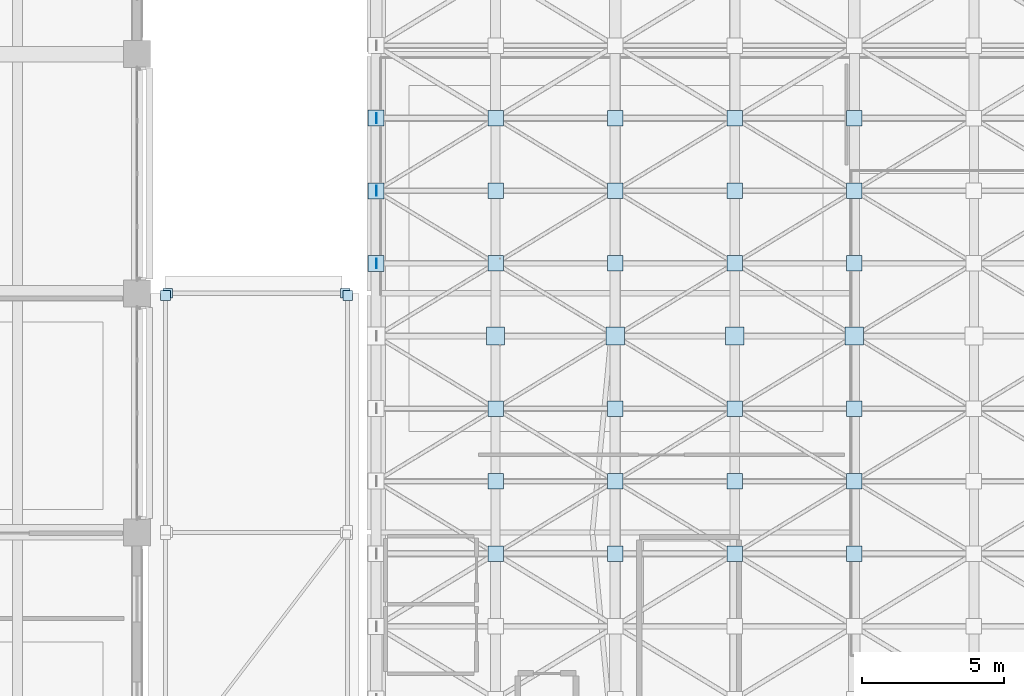
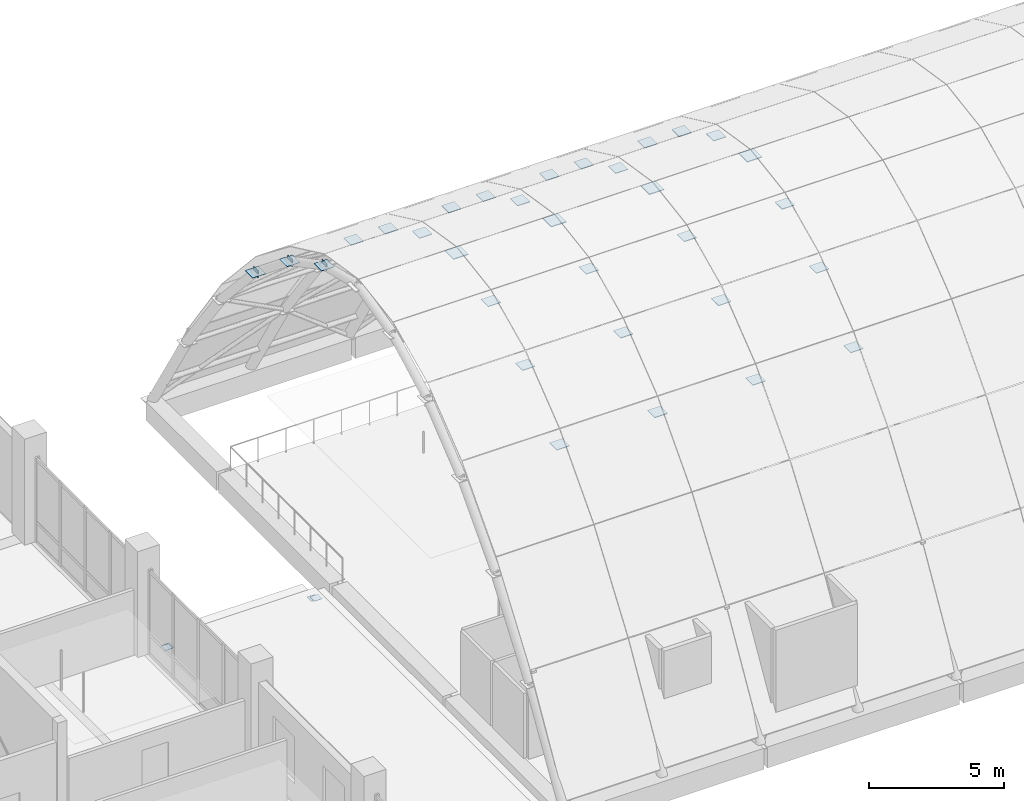
# One storey, part 46 of 128: 38 plates.
"""IFC4 building model written with IfcOpenShell, lengths in metres."""

from ifc_helpers import new_model, si_unit, direction, frame, origin, origin_2d, place, context, subcontext, project, spatial, rectangle, extrude, material, layer, layer_set, type_object, element, save


model = new_model("IFC4")

# Units and contexts
model_context = context("Model", 3, precision=1e-05, world=origin(), true_north=direction((0.0, 1.0)))
body_context = subcontext(model_context, "Body", "Model", "MODEL_VIEW")
ifc_project = project(units=[si_unit("LENGTHUNIT", "METRE"), si_unit("AREAUNIT", "SQUARE_METRE"), si_unit("VOLUMEUNIT", "CUBIC_METRE"), si_unit("PLANEANGLEUNIT", "RADIAN"), si_unit("MASSUNIT", "GRAM", prefix="KILO")], contexts=[model_context])

# Site, building, storey
site_placement = place(None, origin())
site = spatial("IfcSite", under=ifc_project, at=site_placement, CompositionType="ELEMENT")
building_placement = place(site_placement, origin())
building = spatial("IfcBuilding", under=site, at=building_placement, Name="Telukmera Botanical Conservatory", CompositionType="ELEMENT")
storey_placement = place(building_placement, frame((0.0, 0.0, 5.39990234375)))
storey = spatial("IfcBuildingStorey", under=building, at=storey_placement, Name="L01", CompositionType="ELEMENT", Elevation=5.39990234375)

# Plates
ifc_material = material(Name="Steel S355", Category="steel")
ifc_layer_1 = layer(ifc_material, 0.01611328125)
ifc_layer_set_1 = layer_set([ifc_layer_1], Name="Steel S355")
plate_type_1 = type_object("IfcPlateType", Name="Plate_CP1", PredefinedType="USERDEFINED", material=ifc_layer_set_1)
for number, where, z_axis, x_axis, name in (
    (1, (110.280029296875, 34.39990234375, -0.31787109375), (0.0, 0.0, 1.0), (1.0, 0.0, 0.0), "CP1 Beam End Cap beam:V5:L01:east_link:gx:344:1102"),
    (2, (116.52001953125, 34.39990234375, -0.31787109375), (0.0, 0.0, 1.0), (1.0, 0.0, 0.0), "CP1 Beam End Cap beam:V5:L01:east_link:gx:344:1102"),
    (3, (110.199951171875, 34.320068359375, -0.29296875), (0.0, 0.0, 1.0), (1.0, 0.0, 0.0), "CP1 Beam End Cap beam:V5:L01:east_link:gy:1102:260"),
    (4, (116.60009765625, 34.320068359375, -0.29296875), (0.0, 0.0, 1.0), (1.0, 0.0, 0.0), "CP1 Beam End Cap beam:V5:L01:east_link:gy:1166:260"),
):
    element("IfcPlate", number, at=place(storey_placement, frame(where, z_axis=z_axis, x_axis=x_axis)), inside=storey, type_object=plate_type_1, Name=name, ObjectType="CAP_PLATE", PredefinedType="USERDEFINED", context=body_context, shape_type="SweptSolid", body=[
        extrude(rectangle(XDim=0.340087890625, YDim=0.340087890625, at=origin_2d()), origin(), (0.0, 0.0, 1.0), 0.01611328125),
    ])
for number, where, z_axis, x_axis, name in (
    (5, (117.612060546875, 35.449951171875, 13.58642578125), (0.0, 0.0, 1.0), (1.0, 0.0, 0.0), "CP1 Gridshell Gable Rib End Cap 00-07"),
    (6, (117.612060546875, 38.0, 12.23486328125), (0.0, 0.0, 1.0), (1.0, 0.0, 0.0), "CP1 Gridshell Gable Rib End Cap 00-08"),
    (7, (117.612060546875, 40.550048828125, 10.17578125), (0.0, 0.0, 1.0), (1.0, 0.0, 0.0), "CP1 Gridshell Gable Rib End Cap 00-09"),
):
    element("IfcPlate", number, at=place(storey_placement, frame(where, z_axis=z_axis, x_axis=x_axis)), inside=storey, type_object=plate_type_1, Name=name, ObjectType="CAP_PLATE", PredefinedType="USERDEFINED", context=body_context, shape_type="SweptSolid", body=[
        extrude(rectangle(XDim=0.01611328125, YDim=0.340087890625, at=origin_2d()), origin(), (0.0, 0.0, 1.0), 0.340087890625),
    ])
ifc_layer_2 = layer(ifc_material, 0.031982421875)
ifc_layer_set_2 = layer_set([ifc_layer_2], Name="Steel S355")
plate_type_2 = type_object("IfcPlateType", Name="Plate_GN1", PredefinedType="USERDEFINED", material=ifc_layer_set_2)
for number, where, z_axis, x_axis, name in (
    (8, (121.800048828125, 32.89990234375, 14.38427734375), (0.0, 0.0, 1.0), (1.0, 0.0, 0.0), "GN1 Gridshell Welded Node Drum (01-06)"),
    (9, (126.0, 32.89990234375, 14.38427734375), (0.0, 0.0, 1.0), (1.0, 0.0, 0.0), "GN1 Gridshell Welded Node Drum (02-06)"),
    (10, (130.199951171875, 32.89990234375, 14.38427734375), (0.0, 0.0, 1.0), (1.0, 0.0, 0.0), "GN1 Gridshell Welded Node Drum (03-06)"),
    (11, (134.39990234375, 32.89990234375, 14.38427734375), (0.0, 0.0, 1.0), (1.0, 0.0, 0.0), "GN1 Gridshell Welded Node Drum (04-06)"),
):
    element("IfcPlate", number, at=place(storey_placement, frame(where, z_axis=z_axis, x_axis=x_axis)), inside=storey, type_object=plate_type_2, Name=name, ObjectType="GUSSET_PLATE", PredefinedType="USERDEFINED", context=body_context, shape_type="SweptSolid", body=[
        extrude(rectangle(XDim=0.639892578125, YDim=0.639892578125, at=origin_2d()), origin(), (0.0, 0.0, 1.0), 0.031982421875),
    ])
ifc_layer_3 = layer(ifc_material, 0.02490234375)
ifc_layer_set_3 = layer_set([ifc_layer_3], Name="Steel S355")
plate_type_3 = type_object("IfcPlateType", Name="Plate_GN2", PredefinedType="USERDEFINED", material=ifc_layer_set_3)
for number, where, z_axis, x_axis, name in (
    (12, (121.800048828125, 25.25, 10.333251953125), (0.0, 0.0, 1.0), (1.0, 0.0, 0.0), "GN2 Gridshell Welded Node Drum (01-03)"),
    (13, (121.800048828125, 27.800048828125, 12.392578125), (0.0, 0.0, 1.0), (1.0, 0.0, 0.0), "GN2 Gridshell Welded Node Drum (01-04)"),
    (14, (121.800048828125, 30.35009765625, 13.744140625), (0.0, 0.0, 1.0), (1.0, 0.0, 0.0), "GN2 Gridshell Welded Node Drum (01-05)"),
    (15, (121.800048828125, 35.449951171875, 13.744140625), (0.0, 0.0, 1.0), (1.0, 0.0, 0.0), "GN2 Gridshell Welded Node Drum (01-07)"),
    (16, (121.800048828125, 38.0, 12.392578125), (0.0, 0.0, 1.0), (1.0, 0.0, 0.0), "GN2 Gridshell Welded Node Drum (01-08)"),
    (17, (121.800048828125, 40.550048828125, 10.333251953125), (0.0, 0.0, 1.0), (1.0, 0.0, 0.0), "GN2 Gridshell Welded Node Drum (01-09)"),
    (18, (126.0, 25.25, 10.333251953125), (0.0, 0.0, 1.0), (1.0, 0.0, 0.0), "GN2 Gridshell Welded Node Drum (02-03)"),
    (19, (126.0, 27.800048828125, 12.392578125), (0.0, 0.0, 1.0), (1.0, 0.0, 0.0), "GN2 Gridshell Welded Node Drum (02-04)"),
    (20, (126.0, 30.35009765625, 13.744140625), (0.0, 0.0, 1.0), (1.0, 0.0, 0.0), "GN2 Gridshell Welded Node Drum (02-05)"),
    (21, (126.0, 35.449951171875, 13.744140625), (0.0, 0.0, 1.0), (1.0, 0.0, 0.0), "GN2 Gridshell Welded Node Drum (02-07)"),
    (22, (126.0, 38.0, 12.392578125), (0.0, 0.0, 1.0), (1.0, 0.0, 0.0), "GN2 Gridshell Welded Node Drum (02-08)"),
    (23, (126.0, 40.550048828125, 10.333251953125), (0.0, 0.0, 1.0), (1.0, 0.0, 0.0), "GN2 Gridshell Welded Node Drum (02-09)"),
    (24, (130.199951171875, 25.25, 10.333251953125), (0.0, 0.0, 1.0), (1.0, 0.0, 0.0), "GN2 Gridshell Welded Node Drum (03-03)"),
    (25, (130.199951171875, 27.800048828125, 12.392578125), (0.0, 0.0, 1.0), (1.0, 0.0, 0.0), "GN2 Gridshell Welded Node Drum (03-04)"),
    (26, (130.199951171875, 30.35009765625, 13.744140625), (0.0, 0.0, 1.0), (1.0, 0.0, 0.0), "GN2 Gridshell Welded Node Drum (03-05)"),
    (27, (130.199951171875, 35.449951171875, 13.744140625), (0.0, 0.0, 1.0), (1.0, 0.0, 0.0), "GN2 Gridshell Welded Node Drum (03-07)"),
    (28, (130.199951171875, 38.0, 12.392578125), (0.0, 0.0, 1.0), (1.0, 0.0, 0.0), "GN2 Gridshell Welded Node Drum (03-08)"),
    (29, (130.199951171875, 40.550048828125, 10.333251953125), (0.0, 0.0, 1.0), (1.0, 0.0, 0.0), "GN2 Gridshell Welded Node Drum (03-09)"),
    (30, (134.39990234375, 25.25, 10.333251953125), (0.0, 0.0, 1.0), (1.0, 0.0, 0.0), "GN2 Gridshell Welded Node Drum (04-03)"),
    (31, (134.39990234375, 27.800048828125, 12.392578125), (0.0, 0.0, 1.0), (1.0, 0.0, 0.0), "GN2 Gridshell Welded Node Drum (04-04)"),
    (32, (134.39990234375, 30.35009765625, 13.744140625), (0.0, 0.0, 1.0), (1.0, 0.0, 0.0), "GN2 Gridshell Welded Node Drum (04-05)"),
    (33, (134.39990234375, 35.449951171875, 13.744140625), (0.0, 0.0, 1.0), (1.0, 0.0, 0.0), "GN2 Gridshell Welded Node Drum (04-07)"),
    (34, (134.39990234375, 38.0, 12.392578125), (0.0, 0.0, 1.0), (1.0, 0.0, 0.0), "GN2 Gridshell Welded Node Drum (04-08)"),
    (35, (134.39990234375, 40.550048828125, 10.333251953125), (0.0, 0.0, 1.0), (1.0, 0.0, 0.0), "GN2 Gridshell Welded Node Drum (04-09)"),
):
    element("IfcPlate", number, at=place(storey_placement, frame(where, z_axis=z_axis, x_axis=x_axis)), inside=storey, type_object=plate_type_3, Name=name, ObjectType="GUSSET_PLATE", PredefinedType="USERDEFINED", context=body_context, shape_type="SweptSolid", body=[
        extrude(rectangle(XDim=0.5400390625, YDim=0.5400390625, at=origin_2d()), origin(), (0.0, 0.0, 1.0), 0.02490234375),
    ])
ifc_layer_4 = layer(ifc_material, 0.02001953125)
ifc_layer_set_4 = layer_set([ifc_layer_4], Name="Steel S355")
plate_type_4 = type_object("IfcPlateType", Name="Plate_GN3", PredefinedType="USERDEFINED", material=ifc_layer_set_4)
for number, where, z_axis, x_axis, name in (
    (36, (117.60009765625, 35.449951171875, 13.74658203125), (0.0, 0.0, 1.0), (1.0, 0.0, 0.0), "GN3 Gridshell Welded Node Drum (00-07)"),
    (37, (117.60009765625, 38.0, 12.39501953125), (0.0, 0.0, 1.0), (1.0, 0.0, 0.0), "GN3 Gridshell Welded Node Drum (00-08)"),
    (38, (117.60009765625, 40.550048828125, 10.335693359375), (0.0, 0.0, 1.0), (1.0, 0.0, 0.0), "GN3 Gridshell Welded Node Drum (00-09)"),
):
    element("IfcPlate", number, at=place(storey_placement, frame(where, z_axis=z_axis, x_axis=x_axis)), inside=storey, type_object=plate_type_4, Name=name, ObjectType="GUSSET_PLATE", PredefinedType="USERDEFINED", context=body_context, shape_type="SweptSolid", body=[
        extrude(rectangle(XDim=0.56005859375, YDim=0.56005859375, at=origin_2d()), origin(), (0.0, 0.0, 1.0), 0.02001953125),
    ])

save(model, "model.ifc")
